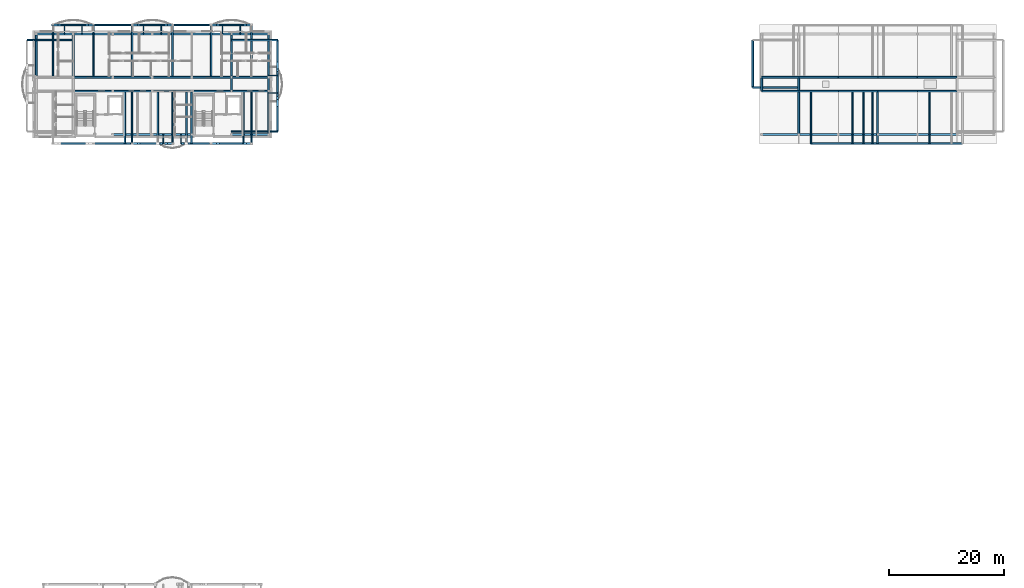
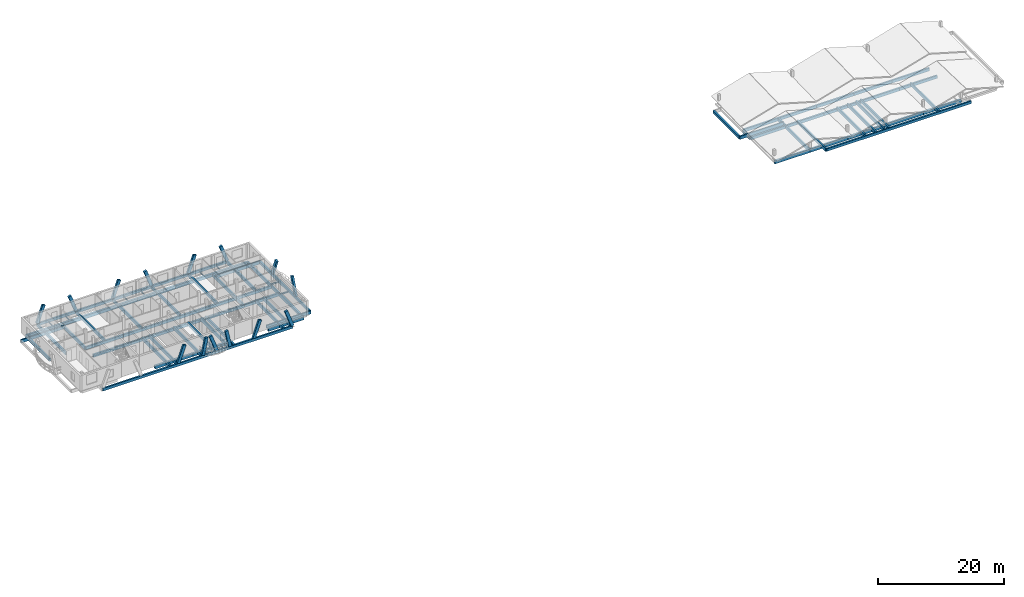
# One storey, part 4 of 21: 83 beams, 14 members.
"""IFC4 building model written with IfcOpenShell, lengths in metres."""

from ifc_helpers import new_model, si_unit, direction, frame, origin, origin_2d, place, context, subcontext, project, spatial, rectangle, i_section, extrude, material, material_profile, profile_set, type_object, element, save


model = new_model("IFC4")

# Units and contexts
model_context = context("Model", 3, precision=1e-05, world=origin(), true_north=direction((0.0, 1.0)))
body_context = subcontext(model_context, "Body", "Model", "MODEL_VIEW")
ifc_project = project(units=[si_unit("LENGTHUNIT", "METRE"), si_unit("AREAUNIT", "SQUARE_METRE"), si_unit("VOLUMEUNIT", "CUBIC_METRE"), si_unit("PLANEANGLEUNIT", "RADIAN"), si_unit("MASSUNIT", "GRAM", prefix="KILO")], contexts=[model_context])

# Site, building, storey
site_placement = place(None, origin())
site = spatial("IfcSite", under=ifc_project, at=site_placement, CompositionType="ELEMENT")
building_placement = place(site_placement, origin())
building = spatial("IfcBuilding", under=site, at=building_placement, Name="Zavelmont Quarter", CompositionType="ELEMENT")
storey_placement = place(building_placement, frame((0.0, 0.0, 36.800048828125)))
storey = spatial("IfcBuildingStorey", under=building, at=storey_placement, Name="L11", CompositionType="ELEMENT", Elevation=36.800048828125)

# Beams
ifc_material_1 = material(Name="Concrete C35/45", Category="concrete")
ifc_material_profile_1 = material_profile(ifc_material_1, rectangle(XDim=0.35009765625, YDim=0.60009765625, at=origin_2d()), Name="RC350X600")
ifc_profile_set_1 = profile_set([ifc_material_profile_1], Name="Concrete C35/45")
beam_type_1 = type_object("IfcBeamType", Name="BM01", PredefinedType="SPANDREL", material=ifc_profile_set_1)
beam_1_placement = place(storey_placement, frame((13.800048828125, 98.0400390625, -0.5400390625), z_axis=(1.0, 0.0, 0.0), x_axis=(0.0, 1.0, 0.0)))
element("IfcBeam", 1, at=beam_1_placement, inside=storey, type_object=beam_type_1, Name="L11 beam BM01 3/P to 4/P", PredefinedType="SPANDREL", context=body_context, shape_type="SweptSolid", body=[
    extrude(rectangle(XDim=0.35009765625, YDim=0.60009765625, at=origin_2d()), origin(), (0.0, 0.0, 1.0), 6.89990234375),
])
beam_2_placement = place(storey_placement, frame((20.699951171875, 98.0400390625, -0.5400390625), z_axis=(1.0, 0.0, 0.0), x_axis=(0.0, 1.0, 0.0)))
element("IfcBeam", 2, at=beam_2_placement, inside=storey, type_object=beam_type_1, Name="L11 beam BM01 4/P to 5/P", PredefinedType="SPANDREL", context=body_context, shape_type="SweptSolid", body=[
    extrude(rectangle(XDim=0.35009765625, YDim=0.60009765625, at=origin_2d()), origin(), (0.0, 0.0, 1.0), 6.900146484375),
])
for number, where, z_axis, x_axis, name in (
    (3, (34.5, 98.0400390625, -0.5400390625), (1.0, 0.0, 0.0), (0.0, 1.0, 0.0), "L11 beam BM01 6/P to 7/P"),
    (4, (0.43994140625, 115.56005859375, -0.5400390625), (1.0, 0.0, 0.0), (0.0, 1.0, 0.0), "L11 beam BM01 1/S to 2/S"),
):
    element("IfcBeam", number, at=place(storey_placement, frame(where, z_axis=z_axis, x_axis=x_axis)), inside=storey, type_object=beam_type_1, Name=name, PredefinedType="SPANDREL", context=body_context, shape_type="SweptSolid", body=[
        extrude(rectangle(XDim=0.35009765625, YDim=0.60009765625, at=origin_2d()), origin(), (0.0, 0.0, 1.0), 6.4599609375),
    ])
beam_3_placement = place(storey_placement, frame((6.89990234375, 115.56005859375, -0.5400390625), z_axis=(1.0, 0.0, 0.0), x_axis=(0.0, 1.0, 0.0)))
element("IfcBeam", 5, at=beam_3_placement, inside=storey, type_object=beam_type_1, Name="L11 beam BM01 2/S to 3/S", PredefinedType="SPANDREL", context=body_context, shape_type="SweptSolid", body=[
    extrude(rectangle(XDim=0.35009765625, YDim=0.60009765625, at=origin_2d()), origin(), (0.0, 0.0, 1.0), 6.900146484375),
])
beam_4_placement = place(storey_placement, frame((13.800048828125, 115.56005859375, -0.5400390625), z_axis=(1.0, 0.0, 0.0), x_axis=(0.0, 1.0, 0.0)))
element("IfcBeam", 6, at=beam_4_placement, inside=storey, type_object=beam_type_1, Name="L11 beam BM01 3/S to 4/S", PredefinedType="SPANDREL", context=body_context, shape_type="SweptSolid", body=[
    extrude(rectangle(XDim=0.35009765625, YDim=0.60009765625, at=origin_2d()), origin(), (0.0, 0.0, 1.0), 6.89990234375),
])
beam_5_placement = place(storey_placement, frame((20.699951171875, 115.56005859375, -0.5400390625), z_axis=(1.0, 0.0, 0.0), x_axis=(0.0, 1.0, 0.0)))
element("IfcBeam", 7, at=beam_5_placement, inside=storey, type_object=beam_type_1, Name="L11 beam BM01 4/S to 5/S", PredefinedType="SPANDREL", context=body_context, shape_type="SweptSolid", body=[
    extrude(rectangle(XDim=0.35009765625, YDim=0.60009765625, at=origin_2d()), origin(), (0.0, 0.0, 1.0), 6.900146484375),
])
beam_6_placement = place(storey_placement, frame((27.60009765625, 115.56005859375, -0.5400390625), z_axis=(1.0, 0.0, 0.0), x_axis=(0.0, 1.0, 0.0)))
element("IfcBeam", 8, at=beam_6_placement, inside=storey, type_object=beam_type_1, Name="L11 beam BM01 5/S to 6/S", PredefinedType="SPANDREL", context=body_context, shape_type="SweptSolid", body=[
    extrude(rectangle(XDim=0.35009765625, YDim=0.60009765625, at=origin_2d()), origin(), (0.0, 0.0, 1.0), 6.89990234375),
])
for number, where, z_axis, x_axis, name in (
    (9, (34.5, 115.56005859375, -0.5400390625), (1.0, 0.0, 0.0), (0.0, 1.0, 0.0), "L11 beam BM01 6/S to 7/S"),
    (10, (127.0400390625, 98.0400390625, -0.590087890625), (1.0, 0.0, 0.0), (0.0, 1.0, 0.0), "L11 beam BM01 19/P to 20/P"),
):
    element("IfcBeam", number, at=place(storey_placement, frame(where, z_axis=z_axis, x_axis=x_axis)), inside=storey, type_object=beam_type_1, Name=name, PredefinedType="SPANDREL", context=body_context, shape_type="SweptSolid", body=[
        extrude(rectangle(XDim=0.35009765625, YDim=0.60009765625, at=origin_2d()), origin(), (0.0, 0.0, 1.0), 6.4599609375),
    ])
beam_7_placement = place(storey_placement, frame((133.5, 98.0400390625, -0.590087890625), z_axis=(1.0, 0.0, 0.0), x_axis=(0.0, 1.0, 0.0)))
element("IfcBeam", 11, at=beam_7_placement, inside=storey, type_object=beam_type_1, Name="L11 beam BM01 20/P to 21/P", PredefinedType="SPANDREL", context=body_context, shape_type="SweptSolid", body=[
    extrude(rectangle(XDim=0.35009765625, YDim=0.60009765625, at=origin_2d()), origin(), (0.0, 0.0, 1.0), 6.89990234375),
])
beam_8_placement = place(storey_placement, frame((140.39990234375, 98.0400390625, -0.590087890625), z_axis=(1.0, 0.0, 0.0), x_axis=(0.0, 1.0, 0.0)))
element("IfcBeam", 12, at=beam_8_placement, inside=storey, type_object=beam_type_1, Name="L11 beam BM01 21/P to 22/P", PredefinedType="SPANDREL", context=body_context, shape_type="SweptSolid", body=[
    extrude(rectangle(XDim=0.35009765625, YDim=0.60009765625, at=origin_2d()), origin(), (0.0, 0.0, 1.0), 6.900146484375),
])
beam_9_placement = place(storey_placement, frame((147.300048828125, 98.0400390625, -0.590087890625), z_axis=(1.0, 0.0, 0.0), x_axis=(0.0, 1.0, 0.0)))
element("IfcBeam", 13, at=beam_9_placement, inside=storey, type_object=beam_type_1, Name="L11 beam BM01 22/P to 23/P", PredefinedType="SPANDREL", context=body_context, shape_type="SweptSolid", body=[
    extrude(rectangle(XDim=0.35009765625, YDim=0.60009765625, at=origin_2d()), origin(), (0.0, 0.0, 1.0), 6.89990234375),
])
beam_10_placement = place(storey_placement, frame((154.199951171875, 98.0400390625, -0.590087890625), z_axis=(1.0, 0.0, 0.0), x_axis=(0.0, 1.0, 0.0)))
element("IfcBeam", 14, at=beam_10_placement, inside=storey, type_object=beam_type_1, Name="L11 beam BM01 23/P to 24/P", PredefinedType="SPANDREL", context=body_context, shape_type="SweptSolid", body=[
    extrude(rectangle(XDim=0.35009765625, YDim=0.60009765625, at=origin_2d()), origin(), (0.0, 0.0, 1.0), 6.900146484375),
])
ifc_material_profile_2 = material_profile(ifc_material_1, rectangle(XDim=0.300048828125, YDim=0.550048828125, at=origin_2d()), Name="RC300X550")
ifc_profile_set_2 = profile_set([ifc_material_profile_2], Name="Concrete C35/45")
beam_type_2 = type_object("IfcBeamType", Name="BM02", PredefinedType="SPANDREL", material=ifc_profile_set_2)
beam_11_placement = place(storey_placement, frame((6.89990234375, 105.60009765625, -0.51513671875), z_axis=(1.0, 0.0, 0.0), x_axis=(0.0, 1.0, 0.0)))
element("IfcBeam", 15, at=beam_11_placement, inside=storey, type_object=beam_type_2, Name="L11 beam BM02 2/Q to 3/Q", PredefinedType="SPANDREL", context=body_context, shape_type="SweptSolid", body=[
    extrude(rectangle(XDim=0.300048828125, YDim=0.550048828125, at=origin_2d()), origin(), (0.0, 0.0, 1.0), 6.900146484375),
])
beam_12_placement = place(storey_placement, frame((13.800048828125, 105.60009765625, -0.51513671875), z_axis=(1.0, 0.0, 0.0), x_axis=(0.0, 1.0, 0.0)))
element("IfcBeam", 16, at=beam_12_placement, inside=storey, type_object=beam_type_2, Name="L11 beam BM02 3/Q to 4/Q", PredefinedType="SPANDREL", context=body_context, shape_type="SweptSolid", body=[
    extrude(rectangle(XDim=0.300048828125, YDim=0.550048828125, at=origin_2d()), origin(), (0.0, 0.0, 1.0), 6.89990234375),
])
beam_13_placement = place(storey_placement, frame((20.699951171875, 105.60009765625, -0.51513671875), z_axis=(1.0, 0.0, 0.0), x_axis=(0.0, 1.0, 0.0)))
element("IfcBeam", 17, at=beam_13_placement, inside=storey, type_object=beam_type_2, Name="L11 beam BM02 4/Q to 5/Q", PredefinedType="SPANDREL", context=body_context, shape_type="SweptSolid", body=[
    extrude(rectangle(XDim=0.300048828125, YDim=0.550048828125, at=origin_2d()), origin(), (0.0, 0.0, 1.0), 6.900146484375),
])
beam_14_placement = place(storey_placement, frame((27.60009765625, 105.60009765625, -0.51513671875), z_axis=(1.0, 0.0, 0.0), x_axis=(0.0, 1.0, 0.0)))
element("IfcBeam", 18, at=beam_14_placement, inside=storey, type_object=beam_type_2, Name="L11 beam BM02 5/Q to 6/Q", PredefinedType="SPANDREL", context=body_context, shape_type="SweptSolid", body=[
    extrude(rectangle(XDim=0.300048828125, YDim=0.550048828125, at=origin_2d()), origin(), (0.0, 0.0, 1.0), 6.89990234375),
])
beam_15_placement = place(storey_placement, frame((34.5, 105.60009765625, -0.51513671875), z_axis=(1.0, 0.0, 0.0), x_axis=(0.0, 1.0, 0.0)))
element("IfcBeam", 19, at=beam_15_placement, inside=storey, type_object=beam_type_2, Name="L11 beam BM02 6/Q to 7/Q", PredefinedType="SPANDREL", context=body_context, shape_type="SweptSolid", body=[
    extrude(rectangle(XDim=0.300048828125, YDim=0.550048828125, at=origin_2d()), origin(), (0.0, 0.0, 1.0), 6.4599609375),
])
beam_16_placement = place(storey_placement, frame((6.89990234375, 108.0, -0.51513671875), z_axis=(1.0, 0.0, 0.0), x_axis=(0.0, 1.0, 0.0)))
element("IfcBeam", 20, at=beam_16_placement, inside=storey, type_object=beam_type_2, Name="L11 beam BM02 2/R to 3/R", PredefinedType="SPANDREL", context=body_context, shape_type="SweptSolid", body=[
    extrude(rectangle(XDim=0.300048828125, YDim=0.550048828125, at=origin_2d()), origin(), (0.0, 0.0, 1.0), 6.900146484375),
])
beam_17_placement = place(storey_placement, frame((13.800048828125, 108.0, -0.51513671875), z_axis=(1.0, 0.0, 0.0), x_axis=(0.0, 1.0, 0.0)))
element("IfcBeam", 21, at=beam_17_placement, inside=storey, type_object=beam_type_2, Name="L11 beam BM02 3/R to 4/R", PredefinedType="SPANDREL", context=body_context, shape_type="SweptSolid", body=[
    extrude(rectangle(XDim=0.300048828125, YDim=0.550048828125, at=origin_2d()), origin(), (0.0, 0.0, 1.0), 6.89990234375),
])
beam_18_placement = place(storey_placement, frame((20.699951171875, 108.0, -0.51513671875), z_axis=(1.0, 0.0, 0.0), x_axis=(0.0, 1.0, 0.0)))
element("IfcBeam", 22, at=beam_18_placement, inside=storey, type_object=beam_type_2, Name="L11 beam BM02 4/R to 5/R", PredefinedType="SPANDREL", context=body_context, shape_type="SweptSolid", body=[
    extrude(rectangle(XDim=0.300048828125, YDim=0.550048828125, at=origin_2d()), origin(), (0.0, 0.0, 1.0), 6.900146484375),
])
beam_19_placement = place(storey_placement, frame((27.60009765625, 108.0, -0.51513671875), z_axis=(1.0, 0.0, 0.0), x_axis=(0.0, 1.0, 0.0)))
element("IfcBeam", 23, at=beam_19_placement, inside=storey, type_object=beam_type_2, Name="L11 beam BM02 5/R to 6/R", PredefinedType="SPANDREL", context=body_context, shape_type="SweptSolid", body=[
    extrude(rectangle(XDim=0.300048828125, YDim=0.550048828125, at=origin_2d()), origin(), (0.0, 0.0, 1.0), 6.89990234375),
])
beam_20_placement = place(storey_placement, frame((34.5, 108.0, -0.51513671875), z_axis=(1.0, 0.0, 0.0), x_axis=(0.0, 1.0, 0.0)))
element("IfcBeam", 24, at=beam_20_placement, inside=storey, type_object=beam_type_2, Name="L11 beam BM02 6/R to 7/R", PredefinedType="SPANDREL", context=body_context, shape_type="SweptSolid", body=[
    extrude(rectangle(XDim=0.300048828125, YDim=0.550048828125, at=origin_2d()), origin(), (0.0, 0.0, 1.0), 6.4599609375),
])
for number, where, z_axis, x_axis, name in (
    (25, (0.43994140625, 108.0, -0.51513671875), (0.0, 1.0, 0.0), (-1.0, 0.0, 0.0), "L11 beam BM02 1/R to 1/S"),
    (26, (6.89990234375, 108.0, -0.51513671875), (0.0, 1.0, 0.0), (-1.0, 0.0, 0.0), "L11 beam BM02 2/R to 2/S"),
):
    element("IfcBeam", number, at=place(storey_placement, frame(where, z_axis=z_axis, x_axis=x_axis)), inside=storey, type_object=beam_type_2, Name=name, PredefinedType="SPANDREL", context=body_context, shape_type="SweptSolid", body=[
        extrude(rectangle(XDim=0.300048828125, YDim=0.550048828125, at=origin_2d()), origin(), (0.0, 0.0, 1.0), 7.56005859375),
    ])
beam_21_placement = place(storey_placement, frame((34.5, 105.60009765625, -0.51513671875), z_axis=(0.0, 1.0, 0.0), x_axis=(-1.0, 0.0, 0.0)))
element("IfcBeam", 27, at=beam_21_placement, inside=storey, type_object=beam_type_2, Name="L11 beam BM02 6/Q to 6/R", PredefinedType="SPANDREL", context=body_context, shape_type="SweptSolid", body=[
    extrude(rectangle(XDim=0.300048828125, YDim=0.550048828125, at=origin_2d()), origin(), (0.0, 0.0, 1.0), 2.39990234375),
])
for number, where, z_axis, x_axis, name in (
    (28, (34.5, 108.0, -0.51513671875), (0.0, 1.0, 0.0), (-1.0, 0.0, 0.0), "L11 beam BM02 6/R to 6/S"),
    (29, (40.9599609375, 98.0400390625, -0.51513671875), (0.0, 1.0, 0.0), (-1.0, 0.0, 0.0), "L11 beam BM02 7/P to 7/Q"),
):
    element("IfcBeam", number, at=place(storey_placement, frame(where, z_axis=z_axis, x_axis=x_axis)), inside=storey, type_object=beam_type_2, Name=name, PredefinedType="SPANDREL", context=body_context, shape_type="SweptSolid", body=[
        extrude(rectangle(XDim=0.300048828125, YDim=0.550048828125, at=origin_2d()), origin(), (0.0, 0.0, 1.0), 7.56005859375),
    ])
beam_22_placement = place(storey_placement, frame((40.9599609375, 105.60009765625, -0.51513671875), z_axis=(0.0, 1.0, 0.0), x_axis=(-1.0, 0.0, 0.0)))
element("IfcBeam", 30, at=beam_22_placement, inside=storey, type_object=beam_type_2, Name="L11 beam BM02 7/Q to 7/R", PredefinedType="SPANDREL", context=body_context, shape_type="SweptSolid", body=[
    extrude(rectangle(XDim=0.300048828125, YDim=0.550048828125, at=origin_2d()), origin(), (0.0, 0.0, 1.0), 2.39990234375),
])
beam_23_placement = place(storey_placement, frame((40.9599609375, 108.0, -0.51513671875), z_axis=(0.0, 1.0, 0.0), x_axis=(-1.0, 0.0, 0.0)))
element("IfcBeam", 31, at=beam_23_placement, inside=storey, type_object=beam_type_2, Name="L11 beam BM02 7/R to 7/S", PredefinedType="SPANDREL", context=body_context, shape_type="SweptSolid", body=[
    extrude(rectangle(XDim=0.300048828125, YDim=0.550048828125, at=origin_2d()), origin(), (0.0, 0.0, 1.0), 7.56005859375),
])
beam_24_placement = place(storey_placement, frame((127.0400390625, 105.60009765625, -0.56494140625), z_axis=(1.0, 0.0, 0.0), x_axis=(0.0, 1.0, 0.0)))
element("IfcBeam", 32, at=beam_24_placement, inside=storey, type_object=beam_type_2, Name="L11 beam BM02 19/Q to 20/Q", PredefinedType="SPANDREL", context=body_context, shape_type="SweptSolid", body=[
    extrude(rectangle(XDim=0.300048828125, YDim=0.550048828125, at=origin_2d()), origin(), (0.0, 0.0, 1.0), 6.4599609375),
])
beam_25_placement = place(storey_placement, frame((133.5, 105.60009765625, -0.56494140625), z_axis=(1.0, 0.0, 0.0), x_axis=(0.0, 1.0, 0.0)))
element("IfcBeam", 33, at=beam_25_placement, inside=storey, type_object=beam_type_2, Name="L11 beam BM02 20/Q to 21/Q", PredefinedType="SPANDREL", context=body_context, shape_type="SweptSolid", body=[
    extrude(rectangle(XDim=0.300048828125, YDim=0.550048828125, at=origin_2d()), origin(), (0.0, 0.0, 1.0), 6.89990234375),
])
beam_26_placement = place(storey_placement, frame((140.39990234375, 105.60009765625, -0.56494140625), z_axis=(1.0, 0.0, 0.0), x_axis=(0.0, 1.0, 0.0)))
element("IfcBeam", 34, at=beam_26_placement, inside=storey, type_object=beam_type_2, Name="L11 beam BM02 21/Q to 22/Q", PredefinedType="SPANDREL", context=body_context, shape_type="SweptSolid", body=[
    extrude(rectangle(XDim=0.300048828125, YDim=0.550048828125, at=origin_2d()), origin(), (0.0, 0.0, 1.0), 6.900146484375),
])
beam_27_placement = place(storey_placement, frame((147.300048828125, 105.60009765625, -0.56494140625), z_axis=(1.0, 0.0, 0.0), x_axis=(0.0, 1.0, 0.0)))
element("IfcBeam", 35, at=beam_27_placement, inside=storey, type_object=beam_type_2, Name="L11 beam BM02 22/Q to 23/Q", PredefinedType="SPANDREL", context=body_context, shape_type="SweptSolid", body=[
    extrude(rectangle(XDim=0.300048828125, YDim=0.550048828125, at=origin_2d()), origin(), (0.0, 0.0, 1.0), 6.89990234375),
])
beam_28_placement = place(storey_placement, frame((154.199951171875, 105.60009765625, -0.56494140625), z_axis=(1.0, 0.0, 0.0), x_axis=(0.0, 1.0, 0.0)))
element("IfcBeam", 36, at=beam_28_placement, inside=storey, type_object=beam_type_2, Name="L11 beam BM02 23/Q to 24/Q", PredefinedType="SPANDREL", context=body_context, shape_type="SweptSolid", body=[
    extrude(rectangle(XDim=0.300048828125, YDim=0.550048828125, at=origin_2d()), origin(), (0.0, 0.0, 1.0), 6.900146484375),
])
beam_29_placement = place(storey_placement, frame((127.0400390625, 108.0, -0.56494140625), z_axis=(1.0, 0.0, 0.0), x_axis=(0.0, 1.0, 0.0)))
element("IfcBeam", 37, at=beam_29_placement, inside=storey, type_object=beam_type_2, Name="L11 beam BM02 19/R to 20/R", PredefinedType="SPANDREL", context=body_context, shape_type="SweptSolid", body=[
    extrude(rectangle(XDim=0.300048828125, YDim=0.550048828125, at=origin_2d()), origin(), (0.0, 0.0, 1.0), 6.4599609375),
])
beam_30_placement = place(storey_placement, frame((133.5, 108.0, -0.56494140625), z_axis=(1.0, 0.0, 0.0), x_axis=(0.0, 1.0, 0.0)))
element("IfcBeam", 38, at=beam_30_placement, inside=storey, type_object=beam_type_2, Name="L11 beam BM02 20/R to 21/R", PredefinedType="SPANDREL", context=body_context, shape_type="SweptSolid", body=[
    extrude(rectangle(XDim=0.300048828125, YDim=0.550048828125, at=origin_2d()), origin(), (0.0, 0.0, 1.0), 6.89990234375),
])
beam_31_placement = place(storey_placement, frame((140.39990234375, 108.0, -0.56494140625), z_axis=(1.0, 0.0, 0.0), x_axis=(0.0, 1.0, 0.0)))
element("IfcBeam", 39, at=beam_31_placement, inside=storey, type_object=beam_type_2, Name="L11 beam BM02 21/R to 22/R", PredefinedType="SPANDREL", context=body_context, shape_type="SweptSolid", body=[
    extrude(rectangle(XDim=0.300048828125, YDim=0.550048828125, at=origin_2d()), origin(), (0.0, 0.0, 1.0), 6.900146484375),
])
beam_32_placement = place(storey_placement, frame((147.300048828125, 108.0, -0.56494140625), z_axis=(1.0, 0.0, 0.0), x_axis=(0.0, 1.0, 0.0)))
element("IfcBeam", 40, at=beam_32_placement, inside=storey, type_object=beam_type_2, Name="L11 beam BM02 22/R to 23/R", PredefinedType="SPANDREL", context=body_context, shape_type="SweptSolid", body=[
    extrude(rectangle(XDim=0.300048828125, YDim=0.550048828125, at=origin_2d()), origin(), (0.0, 0.0, 1.0), 6.89990234375),
])
beam_33_placement = place(storey_placement, frame((154.199951171875, 108.0, -0.56494140625), z_axis=(1.0, 0.0, 0.0), x_axis=(0.0, 1.0, 0.0)))
element("IfcBeam", 41, at=beam_33_placement, inside=storey, type_object=beam_type_2, Name="L11 beam BM02 23/R to 24/R", PredefinedType="SPANDREL", context=body_context, shape_type="SweptSolid", body=[
    extrude(rectangle(XDim=0.300048828125, YDim=0.550048828125, at=origin_2d()), origin(), (0.0, 0.0, 1.0), 6.900146484375),
])
beam_34_placement = place(storey_placement, frame((127.0400390625, 105.739990234375, -0.56494140625), z_axis=(0.0, 1.0, 0.0), x_axis=(-1.0, 0.0, 0.0)))
element("IfcBeam", 42, at=beam_34_placement, inside=storey, type_object=beam_type_2, Name="L11 beam BM02 19/Q to 19/R", PredefinedType="SPANDREL", context=body_context, shape_type="SweptSolid", body=[
    extrude(rectangle(XDim=0.300048828125, YDim=0.550048828125, at=origin_2d()), origin(), (0.0, 0.0, 1.0), 2.1201171875),
])
beam_35_placement = place(storey_placement, frame((133.5, 98.0400390625, -0.56494140625), z_axis=(0.0, 1.0, 0.0), x_axis=(-1.0, 0.0, 0.0)))
element("IfcBeam", 43, at=beam_35_placement, inside=storey, type_object=beam_type_2, Name="L11 beam BM02 20/P to 20/Q", PredefinedType="SPANDREL", context=body_context, shape_type="SweptSolid", body=[
    extrude(rectangle(XDim=0.300048828125, YDim=0.550048828125, at=origin_2d()), origin(), (0.0, 0.0, 1.0), 7.419921875),
])
beam_36_placement = place(storey_placement, frame((133.5, 105.739990234375, -0.56494140625), z_axis=(0.0, 1.0, 0.0), x_axis=(-1.0, 0.0, 0.0)))
element("IfcBeam", 44, at=beam_36_placement, inside=storey, type_object=beam_type_2, Name="L11 beam BM02 20/Q to 20/R", PredefinedType="SPANDREL", context=body_context, shape_type="SweptSolid", body=[
    extrude(rectangle(XDim=0.300048828125, YDim=0.550048828125, at=origin_2d()), origin(), (0.0, 0.0, 1.0), 2.1201171875),
])
ifc_material_profile_3 = material_profile(ifc_material_1, rectangle(XDim=0.300048828125, YDim=0.5, at=origin_2d()), Name="RC300X500")
ifc_profile_set_3 = profile_set([ifc_material_profile_3], Name="Concrete C35/45")
beam_type_3 = type_object("IfcBeamType", Name="BM03", PredefinedType="BEAM", material=ifc_profile_set_3)
for number, where, z_axis, x_axis, name in (
    (45, (3.364990234375, 117.14990234375, -0.25), (1.0, 0.0, 0.0), (0.0, 1.0, 0.0), "L11 beam BM03 1/S to 7/S"),
    (46, (3.364990234375, 96.449951171875, -0.25), (1.0, 0.0, 0.0), (0.0, 1.0, 0.0), "L11 beam BM03 1/P to 7/P"),
):
    element("IfcBeam", number, at=place(storey_placement, frame(where, z_axis=z_axis, x_axis=x_axis)), inside=storey, type_object=beam_type_3, Name=name, PredefinedType="BEAM", context=body_context, shape_type="SweptSolid", body=[
        extrude(rectangle(XDim=0.300048828125, YDim=0.5, at=origin_2d()), origin(), (0.0, 0.0, 1.0), 34.669921875),
    ])
beam_37_placement = place(storey_placement, frame((42.550048828125, 98.550048828125, -0.25), z_axis=(0.0, 1.0, 0.0), x_axis=(-1.0, 0.0, 0.0)))
element("IfcBeam", 47, at=beam_37_placement, inside=storey, type_object=beam_type_3, Name="L11 beam BM03 7/P to 7/S", PredefinedType="BEAM", context=body_context, shape_type="SweptSolid", body=[
    extrude(rectangle(XDim=0.300048828125, YDim=0.5, at=origin_2d()), origin(), (0.0, 0.0, 1.0), 15.949951171875),
])
beam_38_placement = place(storey_placement, frame((135.625, 96.449951171875, -0.25), z_axis=(1.0, 0.0, 0.0), x_axis=(0.0, 1.0, 0.0)))
element("IfcBeam", 48, at=beam_38_placement, inside=storey, type_object=beam_type_3, Name="L11 beam BM03 20/P to 24/P", PredefinedType="BEAM", context=body_context, shape_type="SweptSolid", body=[
    extrude(rectangle(XDim=0.300048828125, YDim=0.5, at=origin_2d()), origin(), (0.0, 0.0, 1.0), 26.425048828125),
])
beam_39_placement = place(storey_placement, frame((125.449951171875, 106.25, -0.25), z_axis=(0.0, 1.0, 0.0), x_axis=(-1.0, 0.0, 0.0)))
element("IfcBeam", 49, at=beam_39_placement, inside=storey, type_object=beam_type_3, Name="L11 beam BM03 19/Q to 19/S", PredefinedType="BEAM", context=body_context, shape_type="SweptSolid", body=[
    extrude(rectangle(XDim=0.300048828125, YDim=0.5, at=origin_2d()), origin(), (0.0, 0.0, 1.0), 8.25),
])
ifc_material_2 = material(Name="Steel S355", Category="steel")
ifc_material_profile_4 = material_profile(ifc_material_2, i_section(OverallWidth=0.110107421875, OverallDepth=0.219970703125, WebThickness=0.005859375, FlangeThickness=0.00927734375, at=origin_2d()), Name="IPE 220")
ifc_profile_set_4 = profile_set([ifc_material_profile_4], Name="Steel S355")
beam_type_4 = type_object("IfcBeamType", Name="BM15", PredefinedType="JOIST", material=ifc_profile_set_4)
for number, where, z_axis, x_axis, name in (
    (50, (5.35009765625, 115.56005859375, -0.366943359375), (0.0, 1.0, 0.0), (-1.0, 0.0, 0.0), "L11 beam BM15 2/S to 2/S"),
    (51, (8.449951171875, 115.56005859375, -0.366943359375), (0.0, 1.0, 0.0), (-1.0, 0.0, 0.0), "L11 beam BM15 2/S to 2/S"),
    (52, (19.14990234375, 115.56005859375, -0.35693359375), (0.0, 1.0, 0.0), (-1.0, 0.0, 0.0), "L11 beam BM15 4/S to 4/S"),
    (53, (22.25, 115.56005859375, -0.35693359375), (0.0, 1.0, 0.0), (-1.0, 0.0, 0.0), "L11 beam BM15 4/S to 4/S"),
    (54, (32.949951171875, 115.56005859375, -0.35205078125), (0.0, 1.0, 0.0), (-1.0, 0.0, 0.0), "L11 beam BM15 6/S to 6/S"),
    (55, (36.050048828125, 115.56005859375, -0.35205078125), (0.0, 1.0, 0.0), (-1.0, 0.0, 0.0), "L11 beam BM15 6/S to 6/S"),
):
    element("IfcBeam", number, at=place(storey_placement, frame(where, z_axis=z_axis, x_axis=x_axis)), inside=storey, type_object=beam_type_4, Name=name, PredefinedType="JOIST", context=body_context, shape_type="SweptSolid", body=[
        extrude(i_section(OverallWidth=0.110107421875, OverallDepth=0.219970703125, WebThickness=0.005859375, FlangeThickness=0.00927734375, at=origin_2d()), origin(), (0.0, 0.0, 1.0), 1.58984375),
    ])
for number, where, z_axis, x_axis, name in (
    (56, (40.9599609375, 105.25, -0.35205078125), (1.0, 0.0, 0.0), (0.0, 1.0, 0.0), "L11 beam BM15 7/Q to 7/Q"),
    (57, (40.9599609375, 108.35009765625, -0.35205078125), (1.0, 0.0, 0.0), (0.0, 1.0, 0.0), "L11 beam BM15 7/R to 7/R"),
    (58, (22.60009765625, 98.0400390625, -0.366943359375), (0.0, -1.0, 0.0), (1.0, 0.0, 0.0), "L11 beam BM15 4/P to 4/P"),
    (59, (25.699951171875, 98.0400390625, -0.366943359375), (0.0, -1.0, 0.0), (1.0, 0.0, 0.0), "L11 beam BM15 5/P to 5/P"),
):
    element("IfcBeam", number, at=place(storey_placement, frame(where, z_axis=z_axis, x_axis=x_axis)), inside=storey, type_object=beam_type_4, Name=name, PredefinedType="JOIST", context=body_context, shape_type="SweptSolid", body=[
        extrude(i_section(OverallWidth=0.110107421875, OverallDepth=0.219970703125, WebThickness=0.005859375, FlangeThickness=0.00927734375, at=origin_2d()), origin(), (0.0, 0.0, 1.0), 1.590087890625),
    ])
ifc_material_3 = material(Name="Concrete C40/50", Category="concrete")
ifc_material_profile_5 = material_profile(ifc_material_3, rectangle(XDim=0.25, YDim=0.60009765625, at=origin_2d()), Name="RC250X600")
ifc_profile_set_5 = profile_set([ifc_material_profile_5], Name="Concrete C40/50")
beam_type_5 = type_object("IfcBeamType", Name="BM18", PredefinedType="BEAM", material=ifc_profile_set_5)
for number, where, z_axis, x_axis, name in (
    (60, (3.364501953125, 108.0, -0.300048828125), (0.0, 1.0, 0.0), (-1.0, 0.0, 0.0), "L11 beam BM18 1/R to 1/S"),
    (61, (10.435546875, 108.0, -0.300048828125), (0.0, 1.0, 0.0), (-1.0, 0.0, 0.0), "L11 beam BM18 3/R to 3/S"),
    (62, (17.16455078125, 108.0, -0.300048828125), (0.0, 1.0, 0.0), (-1.0, 0.0, 0.0), "L11 beam BM18 3/R to 3/S"),
    (63, (24.235595703125, 108.0, -0.300048828125), (0.0, 1.0, 0.0), (-1.0, 0.0, 0.0), "L11 beam BM18 5/R to 5/S"),
    (64, (30.964599609375, 108.0, -0.300048828125), (0.0, 1.0, 0.0), (-1.0, 0.0, 0.0), "L11 beam BM18 5/R to 5/S"),
    (65, (38.035400390625, 108.0, -0.300048828125), (0.0, 1.0, 0.0), (-1.0, 0.0, 0.0), "L11 beam BM18 7/R to 7/S"),
):
    element("IfcBeam", number, at=place(storey_placement, frame(where, z_axis=z_axis, x_axis=x_axis)), inside=storey, type_object=beam_type_5, Name=name, PredefinedType="BEAM", context=body_context, shape_type="SweptSolid", body=[
        extrude(rectangle(XDim=0.25, YDim=0.60009765625, at=origin_2d()), origin(), (0.0, 0.0, 1.0), 9.14990234375),
    ])
for number, where, z_axis, x_axis, name in (
    (66, (15.925048828125, 105.60009765625, -0.300048828125), (0.0, -1.0, 0.0), (1.0, 0.0, 0.0), "L11 beam BM18 3/Q to 3/P"),
    (67, (17.16455078125, 105.60009765625, -0.300048828125), (0.0, -1.0, 0.0), (1.0, 0.0, 0.0), "L11 beam BM18 3/Q to 3/P"),
    (68, (24.235595703125, 105.60009765625, -0.300048828125), (0.0, -1.0, 0.0), (1.0, 0.0, 0.0), "L11 beam BM18 5/Q to 5/P"),
    (69, (27.5, 105.60009765625, -0.300048828125), (0.0, -1.0, 0.0), (1.0, 0.0, 0.0), "L11 beam BM18 5/Q to 5/P"),
    (70, (36.625, 105.60009765625, -0.300048828125), (0.0, -1.0, 0.0), (1.0, 0.0, 0.0), "L11 beam BM18 6/Q to 6/P"),
    (71, (38.035400390625, 105.60009765625, -0.300048828125), (0.0, -1.0, 0.0), (1.0, 0.0, 0.0), "L11 beam BM18 7/Q to 7/P"),
    (72, (21.6708984375, 105.60009765625, -0.300048828125), (0.0, -1.0, 0.0), (1.0, 0.0, 0.0), "L11 beam BM18 4/Q to 4/P"),
    (73, (26.62890625, 105.60009765625, -0.300048828125), (0.0, -1.0, 0.0), (1.0, 0.0, 0.0), "L11 beam BM18 5/Q to 5/P"),
):
    element("IfcBeam", number, at=place(storey_placement, frame(where, z_axis=z_axis, x_axis=x_axis)), inside=storey, type_object=beam_type_5, Name=name, PredefinedType="BEAM", context=body_context, shape_type="SweptSolid", body=[
        extrude(rectangle(XDim=0.25, YDim=0.60009765625, at=origin_2d()), origin(), (0.0, 0.0, 1.0), 9.150146484375),
    ])
beam_40_placement = place(storey_placement, frame((6.89990234375, 114.5, -0.300048828125), z_axis=(-1.0, 0.0, 0.0), x_axis=(0.0, -1.0, 0.0)))
element("IfcBeam", 74, at=beam_40_placement, inside=storey, type_object=beam_type_5, Name="L11 beam BM18 2/S to 1/S", PredefinedType="BEAM", context=body_context, shape_type="SweptSolid", body=[
    extrude(rectangle(XDim=0.25, YDim=0.60009765625, at=origin_2d()), origin(), (0.0, 0.0, 1.0), 8.0498046875),
])
for number, where, z_axis, x_axis, name in (
    (75, (34.5, 98.550048828125, -0.300048828125), (1.0, 0.0, 0.0), (0.0, 1.0, 0.0), "L11 beam BM18 6/P to 7/P"),
    (76, (34.5, 114.5, -0.300048828125), (1.0, 0.0, 0.0), (0.0, 1.0, 0.0), "L11 beam BM18 6/S to 7/S"),
):
    element("IfcBeam", number, at=place(storey_placement, frame(where, z_axis=z_axis, x_axis=x_axis)), inside=storey, type_object=beam_type_5, Name=name, PredefinedType="BEAM", context=body_context, shape_type="SweptSolid", body=[
        extrude(rectangle(XDim=0.25, YDim=0.60009765625, at=origin_2d()), origin(), (0.0, 0.0, 1.0), 8.050048828125),
    ])
for number, where, z_axis, x_axis, name in (
    (77, (135.625, 105.60009765625, -0.300048828125), (0.0, -1.0, 0.0), (1.0, 0.0, 0.0), "L11 beam BM18 20/Q to 20/P"),
    (78, (146.35009765625, 105.60009765625, -0.300048828125), (0.0, -1.0, 0.0), (1.0, 0.0, 0.0), "L11 beam BM18 22/Q to 22/P"),
    (79, (147.199951171875, 105.60009765625, -0.300048828125), (0.0, -1.0, 0.0), (1.0, 0.0, 0.0), "L11 beam BM18 22/Q to 22/P"),
    (80, (156.324951171875, 105.60009765625, -0.300048828125), (0.0, -1.0, 0.0), (1.0, 0.0, 0.0), "L11 beam BM18 23/Q to 23/P"),
    (81, (142.89990234375, 105.60009765625, -0.300048828125), (0.0, -1.0, 0.0), (1.0, 0.0, 0.0), "L11 beam BM18 21/Q to 21/P"),
    (82, (144.800048828125, 105.60009765625, -0.300048828125), (0.0, -1.0, 0.0), (1.0, 0.0, 0.0), "L11 beam BM18 22/Q to 22/P"),
):
    element("IfcBeam", number, at=place(storey_placement, frame(where, z_axis=z_axis, x_axis=x_axis)), inside=storey, type_object=beam_type_5, Name=name, PredefinedType="BEAM", context=body_context, shape_type="SweptSolid", body=[
        extrude(rectangle(XDim=0.25, YDim=0.60009765625, at=origin_2d()), origin(), (0.0, 0.0, 1.0), 9.150146484375),
    ])
beam_41_placement = place(storey_placement, frame((133.5, 106.25, -0.300048828125), z_axis=(-1.0, 0.0, 0.0), x_axis=(0.0, -1.0, 0.0)))
element("IfcBeam", 83, at=beam_41_placement, inside=storey, type_object=beam_type_5, Name="L11 beam BM18 20/Q to 19/Q", PredefinedType="BEAM", context=body_context, shape_type="SweptSolid", body=[
    extrude(rectangle(XDim=0.25, YDim=0.60009765625, at=origin_2d()), origin(), (0.0, 0.0, 1.0), 8.050048828125),
])

# Members
ifc_material_4 = material(Name="White architectural precast concrete C40/50", Category="concrete")
ifc_material_profile_6 = material_profile(ifc_material_4, rectangle(XDim=0.360107421875, YDim=0.5400390625, at=origin_2d()), Name="PCR280X420")
ifc_profile_set_6 = profile_set([ifc_material_profile_6], Name="White architectural precast concrete C40/50")
member_type = type_object("IfcMemberType", Name="VR02M", PredefinedType="CHORD", material=ifc_profile_set_6)
for number, where, z_axis, x_axis, name in (
    (84, (3.364501953125, 117.14990234375, 0.0), (0.343186873965, 0.0, 0.939267144927), (0.0, 1.0, 0.0), "L11 member VR02M 1/S to 2/S"),
    (85, (10.435546875, 117.14990234375, 0.0), (-0.343186873965, 0.0, 0.939267144927), (0.0, -1.0, 0.0), "L11 member VR02M 3/S to 2/S"),
    (86, (17.16455078125, 117.14990234375, 0.0), (0.343123650234, 0.0, 0.939290243029), (0.0, 1.0, 0.0), "L11 member VR02M 3/S to 4/S"),
    (87, (24.235595703125, 117.14990234375, 0.0), (-0.343186873965, 0.0, 0.939267144927), (0.0, -1.0, 0.0), "L11 member VR02M 5/S to 4/S"),
    (88, (30.964599609375, 117.14990234375, 0.0), (0.343123650234, 0.0, 0.939290243029), (0.0, 1.0, 0.0), "L11 member VR02M 5/S to 6/S"),
    (89, (38.035400390625, 117.14990234375, 0.0), (-0.343123650234, 0.0, 0.939290243029), (0.0, -1.0, 0.0), "L11 member VR02M 7/S to 6/S"),
    (90, (17.16455078125, 96.449951171875, 0.0), (0.343123650234, 0.0, 0.939290243029), (0.0, 1.0, 0.0), "L11 member VR02M 3/P to 4/P"),
    (91, (24.235595703125, 96.449951171875, 0.0), (-0.343186873965, 0.0, 0.939267144927), (0.0, -1.0, 0.0), "L11 member VR02M 5/P to 4/P"),
    (92, (30.964599609375, 96.449951171875, 0.0), (0.343123650234, 0.0, 0.939290243029), (0.0, 1.0, 0.0), "L11 member VR02M 5/P to 6/P"),
    (93, (38.035400390625, 96.449951171875, 0.0), (-0.343123650234, 0.0, 0.939290243029), (0.0, -1.0, 0.0), "L11 member VR02M 7/P to 6/P"),
):
    element("IfcMember", number, at=place(storey_placement, frame(where, z_axis=z_axis, x_axis=x_axis)), inside=storey, type_object=member_type, Name=name, PredefinedType="CHORD", context=body_context, shape_type="SweptSolid", body=[
        extrude(rectangle(XDim=0.360107421875, YDim=0.5400390625, at=origin_2d()), origin(), (0.0, 0.0, 1.0), 3.40673828125),
    ])
for number, where, z_axis, x_axis, name in (
    (94, (21.6708984375, 96.449951171875, 0.0), (0.201258581853, 0.0, 0.97953814792), (0.0, 1.0, 0.0), "L11 member VR02M 4/P to 4/P"),
    (95, (26.62890625, 96.449951171875, 0.0), (-0.201186873366, 0.0, 0.979552878606), (0.0, -1.0, 0.0), "L11 member VR02M 5/P to 5/P"),
):
    element("IfcMember", number, at=place(storey_placement, frame(where, z_axis=z_axis, x_axis=x_axis)), inside=storey, type_object=member_type, Name=name, PredefinedType="CHORD", context=body_context, shape_type="SweptSolid", body=[
        extrude(rectangle(XDim=0.360107421875, YDim=0.5400390625, at=origin_2d()), origin(), (0.0, 0.0, 1.0), 3.266845703125),
    ])
for number, where, z_axis, x_axis, name in (
    (96, (42.550048828125, 103.13818359375, 0.0), (0.0, 0.358721361915, 0.933444687438), (-1.0, 0.0, 0.0), "L11 member VR02M 7/Q to 7/Q"),
    (97, (42.550048828125, 110.4619140625, 0.0), (0.0, -0.358721361915, 0.933444687438), (1.0, 0.0, 0.0), "L11 member VR02M 7/R to 7/R"),
):
    element("IfcMember", number, at=place(storey_placement, frame(where, z_axis=z_axis, x_axis=x_axis)), inside=storey, type_object=member_type, Name=name, PredefinedType="CHORD", context=body_context, shape_type="SweptSolid", body=[
        extrude(rectangle(XDim=0.360107421875, YDim=0.5400390625, at=origin_2d()), origin(), (0.0, 0.0, 1.0), 3.42822265625),
    ])

save(model, "model.ifc")
